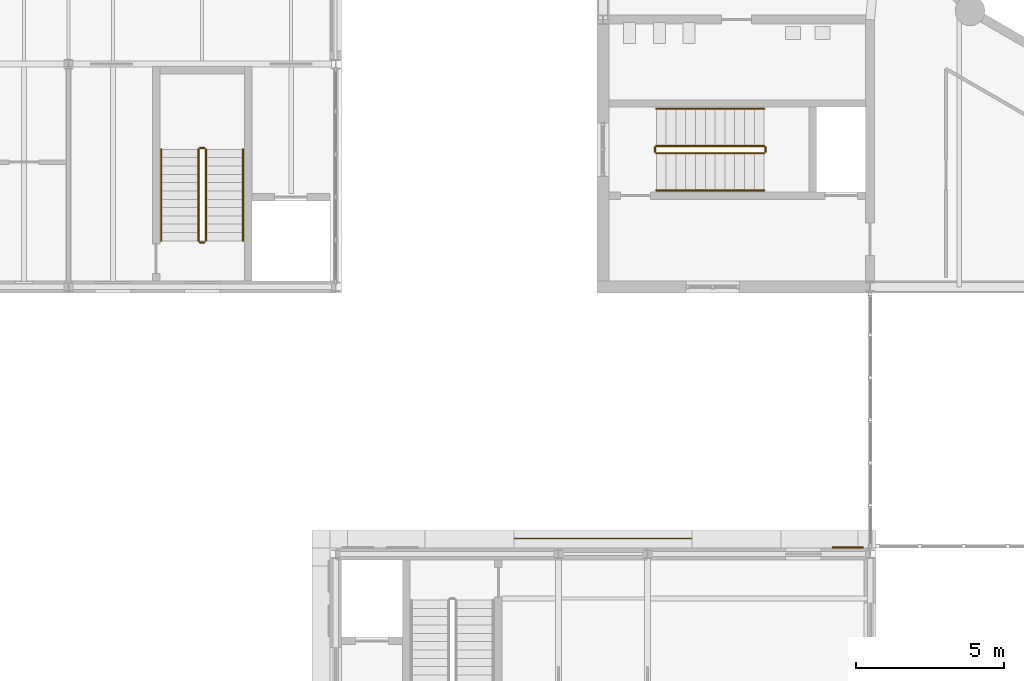
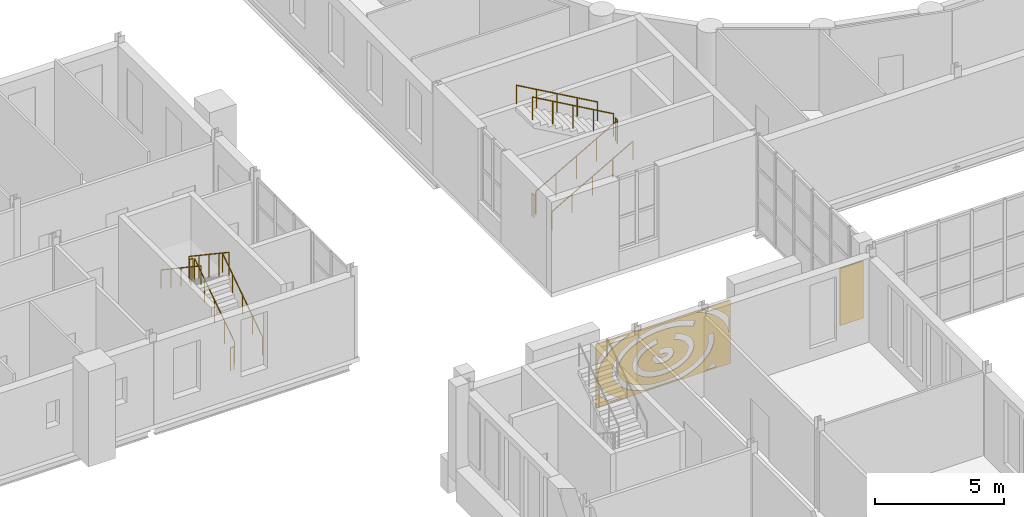
# One storey, part 121 of 134: 12 railings, 2 coverings.
"""IFC4 building model written with IfcOpenShell, lengths in metres."""

from ifc_helpers import new_model, si_unit, direction, frame, origin, origin_2d, place, context, subcontext, project, spatial, polyline, circle, outline, extrude, material, layer, layer_set, type_object, element, save


model = new_model("IFC4")

# Units and contexts
model_context = context("Model", 3, precision=1e-05, world=origin(), true_north=direction((0.0, 1.0)))
body_context = subcontext(model_context, "Body", "Model", "MODEL_VIEW")
ifc_project = project(units=[si_unit("LENGTHUNIT", "METRE"), si_unit("AREAUNIT", "SQUARE_METRE"), si_unit("VOLUMEUNIT", "CUBIC_METRE"), si_unit("PLANEANGLEUNIT", "RADIAN"), si_unit("MASSUNIT", "GRAM", prefix="KILO")], contexts=[model_context])

# Site, building, storey
site_placement = place(None, origin())
site = spatial("IfcSite", under=ifc_project, at=site_placement, CompositionType="ELEMENT")
building_placement = place(site_placement, origin())
building = spatial("IfcBuilding", under=site, at=building_placement, Name="Golden Quay Civic Hall", CompositionType="ELEMENT")
storey_placement = place(building_placement, frame((0.0, 0.0, 5.39990234375)))
storey = spatial("IfcBuildingStorey", under=building, at=storey_placement, Name="L01", CompositionType="ELEMENT", Elevation=5.39990234375)

# Covering
ifc_material_1 = material(Name="Aluminium, golden anodised, perforated", Category="aluminium")
ifc_layer_1 = layer(ifc_material_1, 0.0400390625)
ifc_layer_set_1 = layer_set([ifc_layer_1], Name="Perforated screen panel 6000 x 3000 x 40")
covering_type_1 = type_object("IfcCoveringType", Name="Perforated screen panel 6000 x 3000 x 40", PredefinedType="CLADDING", material=ifc_layer_set_1)
covering_1_placement = place(storey_placement, frame((63.0, 54.5, 2.10009765625), z_axis=(0.0, 1.0, 0.0), x_axis=(-1.0, 0.0, 0.0)))
element("IfcCovering", 1, at=covering_1_placement, inside=storey, type_object=covering_type_1, Name="Perforated screen panel 6000 x 3000 x 40 L01 8", PredefinedType="CLADDING", context=body_context, shape_type="SweptSolid", body=[
    extrude(outline(polyline([(-3.0, -1.5), (3.0, -1.5), (3.0, 1.5), (-3.0, 1.5), (-3.0, -1.5)]), holes=[polyline([(0.0810546875, 0.0087890625), (0.03125, 0.015380859375), (-0.02001953125, 0.01611328125), (-0.070556640625, 0.0107421875), (-0.1171875, 0.0), (-0.157470703125, -0.014892578125), (-0.201904296875, -0.04150390625), (-0.223876953125, -0.065185546875), (-0.228515625, -0.07470703125), (-0.228271484375, -0.085205078125), (-0.211181640625, -0.10986328125), (-0.17431640625, -0.13671875), (-0.1376953125, -0.1533203125), (-0.093994140625, -0.166259765625), (-0.044921875, -0.17431640625), (0.006103515625, -0.176513671875), (0.05712890625, -0.1728515625), (0.10498046875, -0.16357421875), (0.1474609375, -0.1494140625), (0.1953125, -0.123291015625), (0.215087890625, -0.10595703125), (0.227783203125, -0.087158203125), (0.227783203125, -0.072998046875), (0.2177734375, -0.055908203125), (0.421630859375, 0.072509765625), (0.449951171875, 0.020263671875), (0.4619140625, -0.015380859375), (0.46875, -0.052978515625), (0.469970703125, -0.09130859375), (0.46533203125, -0.12939453125), (0.455322265625, -0.16650390625), (0.440185546875, -0.20166015625), (0.412109375, -0.24560546875), (0.370849609375, -0.29052734375), (0.3330078125, -0.321044921875), (0.277587890625, -0.3544921875), (0.206787109375, -0.38427734375), (0.162109375, -0.397705078125), (0.085205078125, -0.412109375), (0.006103515625, -0.41748046875), (-0.0732421875, -0.41357421875), (-0.151123046875, -0.400146484375), (-0.2177734375, -0.380615234375), (-0.28662109375, -0.349853515625), (-0.326904296875, -0.3251953125), (-0.3759765625, -0.285888671875), (-0.40966796875, -0.248779296875), (-0.441650390625, -0.198486328125), (-0.461181640625, -0.147705078125), (-0.47021484375, -0.089599609375), (-0.466064453125, -0.033447265625), (-0.448974609375, 0.02294921875), (-0.431640625, 0.056884765625), (-0.41015625, 0.088134765625), (-0.37646484375, 0.125244140625), (-0.319091796875, 0.17041015625), (-0.253662109375, 0.2060546875), (-0.18212890625, 0.232177734375), (-0.144775390625, 0.24169921875), (-0.07421875, 0.25341796875), (0.01220703125, 0.25732421875), (0.084228515625, 0.252197265625), (0.123046875, 0.24609375), (0.1982421875, 0.227294921875), (0.13037109375, -0.00390625), (0.0810546875, 0.0087890625)]), polyline([(-0.6474609375, 0.453369140625), (-0.7177734375, 0.421875), (-0.783447265625, 0.387451171875), (-0.84423828125, 0.350341796875), (-0.8994140625, 0.31103515625), (-0.948974609375, 0.27001953125), (-0.992431640625, 0.227294921875), (-1.02978515625, 0.18359375), (-1.061279296875, 0.139404296875), (-1.08642578125, 0.0947265625), (-1.105712890625, 0.050048828125), (-1.119140625, 0.005615234375), (-1.126953125, -0.03857421875), (-1.12939453125, -0.082763671875), (-1.126220703125, -0.126953125), (-1.117919921875, -0.171142578125), (-1.103515625, -0.215576171875), (-1.083740234375, -0.26025390625), (-1.0576171875, -0.3046875), (-1.025634765625, -0.34912109375), (-0.9873046875, -0.392578125), (-0.943115234375, -0.43505859375), (-0.892822265625, -0.47607421875), (-0.8369140625, -0.51513671875), (-0.775634765625, -0.5517578125), (-0.709228515625, -0.5859375), (-0.638427734375, -0.6171875), (-0.5634765625, -0.64501953125), (-0.48486328125, -0.66943359375), (-0.403076171875, -0.690185546875), (-0.318603515625, -0.707275390625), (-0.232177734375, -0.72021484375), (-0.144287109375, -0.72900390625), (-0.055419921875, -0.733642578125), (0.03369140625, -0.734130859375), (0.122802734375, -0.73046875), (0.2109375, -0.72265625), (0.2978515625, -0.710693359375), (0.3828125, -0.694580078125), (0.46533203125, -0.6748046875), (0.544677734375, -0.6513671875), (0.62060546875, -0.624267578125), (0.692626953125, -0.59375), (0.760009765625, -0.560302734375), (0.822509765625, -0.524169921875), (0.8798828125, -0.485595703125), (0.931396484375, -0.4453125), (0.977294921875, -0.403076171875), (1.016845703125, -0.359619140625), (1.050537109375, -0.315673828125), (1.077880859375, -0.27099609375), (1.099365234375, -0.226318359375), (1.114990234375, -0.181884765625), (1.124755859375, -0.1376953125), (1.129150390625, -0.093505859375), (1.1279296875, -0.04931640625), (1.12158203125, -0.005126953125), (1.109619140625, 0.039306640625), (1.091796875, 0.083984375), (1.06787109375, 0.12841796875), (1.0380859375, 0.1728515625), (1.002197265625, 0.216796875), (0.9599609375, 0.259765625), (0.911865234375, 0.30126953125), (0.858154296875, 0.341064453125), (0.798583984375, 0.378662109375), (0.734130859375, 0.413818359375), (0.6650390625, 0.446044921875), (0.59130859375, 0.47509765625), (0.513916015625, 0.5009765625), (0.433349609375, 0.523193359375), (0.349853515625, 0.54150390625), (0.26123046875, 0.556396484375), (0.30126953125, 0.7939453125), (0.392822265625, 0.778564453125), (0.488037109375, 0.7578125), (0.587158203125, 0.73046875), (0.670654296875, 0.70263671875), (0.757080078125, 0.668701171875), (0.83935546875, 0.630615234375), (0.92431640625, 0.584228515625), (0.997802734375, 0.537353515625), (1.05859375, 0.4921875), (1.121337890625, 0.438720703125), (1.177734375, 0.381591796875), (1.23486328125, 0.31201171875), (1.277587890625, 0.2470703125), (1.307373046875, 0.19140625), (1.335693359375, 0.122314453125), (1.35595703125, 0.051025390625), (1.36865234375, -0.0361328125), (1.369384765625, -0.109619140625), (1.361328125, -0.182861328125), (1.344482421875, -0.254638671875), (1.32470703125, -0.31201171875), (1.286376953125, -0.39208984375), (1.245849609375, -0.456787109375), (1.205322265625, -0.510009765625), (1.14404296875, -0.576904296875), (1.083984375, -0.6318359375), (1.025146484375, -0.677978515625), (0.946533203125, -0.730712890625), (0.870361328125, -0.7744140625), (0.79638671875, -0.811279296875), (0.704833984375, -0.849853515625), (0.616455078125, -0.88134765625), (0.524658203125, -0.908203125), (0.430419921875, -0.930908203125), (0.339599609375, -0.947998046875), (0.2353515625, -0.96240234375), (0.135498046875, -0.97119140625), (0.035400390625, -0.97509765625), (-0.0595703125, -0.974609375), (-0.159912109375, -0.969482421875), (-0.264892578125, -0.958740234375), (-0.357421875, -0.945068359375), (-0.453369140625, -0.92578125), (-0.55322265625, -0.900390625), (-0.63818359375, -0.8740234375), (-0.725830078125, -0.841796875), (-0.809814453125, -0.804931640625), (-0.889404296875, -0.764404296875), (-0.96435546875, -0.719482421875), (-1.034423828125, -0.6708984375), (-1.09912109375, -0.618896484375), (-1.15771484375, -0.56298828125), (-1.21728515625, -0.4951171875), (-1.2626953125, -0.431396484375), (-1.30078125, -0.364501953125), (-1.326416015625, -0.307861328125), (-1.349609375, -0.2373046875), (-1.3662109375, -0.150634765625), (-1.3701171875, -0.091796875), (-1.3671875, -0.018310546875), (-1.351806640625, 0.068603515625), (-1.32958984375, 0.13916015625), (-1.29931640625, 0.20751953125), (-1.261474609375, 0.2734375), (-1.223388671875, 0.327392578125), (-1.171875, 0.38818359375), (-1.114013671875, 0.445556640625), (-1.042724609375, 0.504638671875), (-0.973388671875, 0.5537109375), (-0.89892578125, 0.598876953125), (-0.81982421875, 0.64013671875), (-0.736328125, 0.67724609375), (-0.649169921875, 0.710205078125), (-0.564697265625, 0.7373046875), (-0.49169921875, 0.507568359375), (-0.572998046875, 0.481689453125), (-0.6474609375, 0.453369140625)]), polyline([(-2.023193359375, 0.012939453125), (-2.029052734375, -0.059814453125), (-2.02734375, -0.13232421875), (-2.018310546875, -0.205078125), (-2.001708984375, -0.277587890625), (-1.977294921875, -0.349853515625), (-1.9453125, -0.421875), (-1.905517578125, -0.492919921875), (-1.85791015625, -0.563232421875), (-1.802734375, -0.632080078125), (-1.739990234375, -0.69921875), (-1.669921875, -0.764404296875), (-1.592529296875, -0.8271484375), (-1.50830078125, -0.886962890625), (-1.417724609375, -0.94384765625), (-1.32080078125, -0.997314453125), (-1.218017578125, -1.046875), (-1.110107421875, -1.092529296875), (-0.997314453125, -1.1337890625), (-0.88037109375, -1.1708984375), (-0.759521484375, -1.203125), (-0.635009765625, -1.230712890625), (-0.508056640625, -1.25341796875), (-0.37890625, -1.27099609375), (-0.248046875, -1.283203125), (-0.115966796875, -1.29052734375), (0.0166015625, -1.29248046875), (0.14892578125, -1.289306640625), (0.280517578125, -1.28076171875), (0.4111328125, -1.26708984375), (0.539794921875, -1.248291015625), (0.666259765625, -1.224365234375), (0.789794921875, -1.195556640625), (0.909912109375, -1.162109375), (1.02587890625, -1.1240234375), (1.137451171875, -1.08154296875), (1.244140625, -1.034912109375), (1.345458984375, -0.984130859375), (1.44091796875, -0.929931640625), (1.52978515625, -0.872314453125), (1.6123046875, -0.811767578125), (1.68798828125, -0.748291015625), (1.75634765625, -0.6826171875), (1.817138671875, -0.614990234375), (1.87060546875, -0.5458984375), (1.916015625, -0.475341796875), (1.953857421875, -0.404052734375), (1.98388671875, -0.33203125), (2.00634765625, -0.259521484375), (2.021240234375, -0.18701171875), (2.028564453125, -0.1142578125), (2.0283203125, -0.04150390625), (2.0205078125, 0.031005859375), (2.00537109375, 0.103759765625), (1.982421875, 0.176025390625), (1.951904296875, 0.248046875), (1.913818359375, 0.3193359375), (1.86767578125, 0.389892578125), (1.81396484375, 0.458984375), (1.752685546875, 0.5263671875), (1.683837890625, 0.592041015625), (1.60791015625, 0.6552734375), (1.525146484375, 0.7158203125), (1.435546875, 0.773193359375), (1.33984375, 0.8271484375), (1.23828125, 0.87744140625), (1.13134765625, 0.924072265625), (1.01953125, 0.96630859375), (0.9033203125, 1.004150390625), (0.782958984375, 1.037353515625), (0.6591796875, 1.06591796875), (0.53271484375, 1.08935546875), (0.40380859375, 1.10791015625), (0.273193359375, 1.121337890625), (0.1416015625, 1.12939453125), (0.009033203125, 1.132568359375), (-0.123291015625, 1.130126953125), (-0.25537109375, 1.122802734375), (-0.385986328125, 1.110107421875), (-0.515380859375, 1.09228515625), (-0.64208984375, 1.0693359375), (-0.76611328125, 1.04150390625), (-0.886962890625, 1.0087890625), (-1.00390625, 0.9716796875), (-1.116455078125, 0.929931640625), (-1.22412109375, 0.884033203125), (-1.3291015625, 0.8330078125), (-1.434814453125, 1.04931640625), (-1.3212890625, 1.1044921875), (-1.208251953125, 1.15283203125), (-1.07958984375, 1.200439453125), (-0.952392578125, 1.24072265625), (-0.821533203125, 1.27587890625), (-0.6923828125, 1.304931640625), (-0.55078125, 1.33056640625), (-0.411865234375, 1.349609375), (-0.276123046875, 1.36279296875), (-0.1298828125, 1.37109375), (0.00732421875, 1.373291015625), (0.1494140625, 1.370361328125), (0.290771484375, 1.361572265625), (0.430908203125, 1.347412109375), (0.574462890625, 1.32666015625), (0.705810546875, 1.30224609375), (0.839599609375, 1.271484375), (0.97509765625, 1.23388671875), (1.0966796875, 1.194580078125), (1.21923828125, 1.148193359375), (1.3427734375, 1.0947265625), (1.449951171875, 1.04150390625), (1.556884765625, 0.981201171875), (1.664306640625, 0.912353515625), (1.753173828125, 0.847412109375), (1.841064453125, 0.774658203125), (1.927978515625, 0.691650390625), (1.99560546875, 0.617431640625), (2.06103515625, 0.53369140625), (2.12353515625, 0.437744140625), (2.1669921875, 0.357177734375), (2.20654296875, 0.264892578125), (2.239990234375, 0.158935546875), (2.257568359375, 0.07470703125), (2.2685546875, -0.0224609375), (2.26953125, -0.119873046875), (2.258544921875, -0.229248046875), (2.23828125, -0.3251953125), (2.20849609375, -0.419677734375), (2.169189453125, -0.511962890625), (2.12109375, -0.601806640625), (2.064453125, -0.68896484375), (1.999267578125, -0.772705078125), (1.926513671875, -0.853515625), (1.845947265625, -0.930419921875), (1.75830078125, -1.003662109375), (1.669677734375, -1.068603515625), (1.568603515625, -1.134033203125), (1.461669921875, -1.1953125), (1.34912109375, -1.251708984375), (1.2314453125, -1.303466796875), (1.10888671875, -1.35009765625), (0.982421875, -1.391845703125), (0.802490234375, -1.43994140625), (-0.80419921875, -1.43994140625), (-0.9501953125, -1.4013671875), (-1.072509765625, -1.36279296875), (-1.196044921875, -1.317626953125), (-1.3203125, -1.264892578125), (-1.4287109375, -1.212646484375), (-1.536865234375, -1.153076171875), (-1.645263671875, -1.085205078125), (-1.7353515625, -1.02099609375), (-1.82470703125, -0.948974609375), (-1.9130859375, -0.86669921875), (-1.98779296875, -0.786376953125), (-2.049072265625, -0.7099609375), (-2.10791015625, -0.623779296875), (-2.1630859375, -0.52490234375), (-2.19970703125, -0.44287109375), (-2.231689453125, -0.348876953125), (-2.25439453125, -0.253173828125), (-2.26806640625, -0.14404296875), (-2.269775390625, -0.046630859375), (-2.26123046875, 0.050537109375), (-2.242919921875, 0.146728515625), (-2.21875, 0.230712890625), (-1.9873046875, 0.163818359375), (-2.010009765625, 0.085693359375), (-2.023193359375, 0.012939453125)]), polyline([(-2.008056640625, -1.365478515625), (-1.868408203125, -1.43994140625), (-2.34033203125, -1.43994140625), (-2.369140625, -1.42041015625), (-2.234619140625, -1.220703125), (-2.123291015625, -1.2958984375), (-2.008056640625, -1.365478515625)]), polyline([(1.86865234375, -1.43994140625), (2.0029296875, -1.368408203125), (2.118408203125, -1.298828125), (2.227294921875, -1.225830078125), (2.3291015625, -1.1494140625), (2.423583984375, -1.06982421875), (2.510498046875, -0.98779296875), (2.589599609375, -0.9033203125), (2.660400390625, -0.816650390625), (2.723388671875, -0.728271484375), (2.77783203125, -0.63818359375), (2.823974609375, -0.54736328125), (2.86181640625, -0.455322265625), (2.89111328125, -0.36279296875), (2.912353515625, -0.269775390625), (2.925048828125, -0.176513671875), (2.929443359375, -0.0830078125), (2.925537109375, 0.010498046875), (2.913330078125, 0.10400390625), (2.892822265625, 0.197021484375), (2.864013671875, 0.28955078125), (2.82666015625, 0.381591796875), (2.781005859375, 0.47265625), (2.726806640625, 0.5625), (2.66455078125, 0.651123046875), (2.593994140625, 0.73779296875), (2.515625, 0.822509765625), (2.42919921875, 0.90478515625), (2.335205078125, 0.984619140625), (2.23388671875, 1.06103515625), (2.12548828125, 1.134521484375), (2.01025390625, 1.2041015625), (1.888671875, 1.27001953125), (1.760986328125, 1.331787109375), (1.6279296875, 1.389404296875), (1.495849609375, 1.43994140625), (2.080810546875, 1.43994140625), (2.252685546875, 1.339111328125), (2.371337890625, 1.2587890625), (2.483154296875, 1.1748046875), (2.587646484375, 1.08642578125), (2.6845703125, 0.994384765625), (2.778564453125, 0.892822265625), (2.859130859375, 0.793212890625), (2.93994140625, 0.67578125), (2.93994140625, -0.83544921875), (2.849365234375, -0.966064453125), (2.76806640625, -1.064697265625), (2.683837890625, -1.155029296875), (2.586669921875, -1.247314453125), (2.481689453125, -1.3359375), (2.34033203125, -1.43994140625), (1.86865234375, -1.43994140625)]), polyline([(-1.616943359375, 1.393798828125), (-1.75048828125, 1.336669921875), (-1.878662109375, 1.275146484375), (-2.00048828125, 1.209716796875), (-2.1162109375, 1.14013671875), (-2.225341796875, 1.067138671875), (-2.327392578125, 0.99072265625), (-2.421875, 0.911376953125), (-2.5087890625, 0.829345703125), (-2.588134765625, 0.744873046875), (-2.6591796875, 0.658203125), (-2.72216796875, 0.56982421875), (-2.77685546875, 0.47998046875), (-2.8232421875, 0.388916015625), (-2.861083984375, 0.297119140625), (-2.890625, 0.20458984375), (-2.912109375, 0.111328125), (-2.9248046875, 0.01806640625), (-2.929443359375, -0.075439453125), (-2.925537109375, -0.17431640625), (-2.93994140625, -0.1748046875), (-2.93994140625, 0.67529296875), (-2.85302734375, 0.801513671875), (-2.771728515625, 0.90087890625), (-2.677001953125, 1.001953125), (-2.579345703125, 1.09375), (-2.474365234375, 1.181640625), (-2.362060546875, 1.265380859375), (-2.247802734375, 1.342041015625), (-2.080810546875, 1.43994140625), (-1.4951171875, 1.43994140625), (-1.616943359375, 1.393798828125)])]), origin(), (0.0, 0.0, 1.0), 0.0400390625),
])

# Railings
ifc_material_2 = material(Name="Steel S355", Category="steel")
railing_type_1 = type_object("IfcRailingType", Name="Steel guard 1100", PredefinedType="GUARDRAIL", material=ifc_material_2)
railing_1_placement = place(storey_placement, frame((64.800048828125, 67.5, 0.1875)))
element("IfcRailing", 2, at=railing_1_placement, inside=storey, type_object=railing_type_1, Name="L01 CB-SW stair guard 1", PredefinedType="GUARDRAIL", context=body_context, shape_type="SweptSolid", body=[
    extrude(circle(Radius=0.02392578125, at=origin_2d()), frame((0.0, 0.0, 1.076171875), z_axis=(0.869449707104, 0.0, 0.494021463923), x_axis=(0.0, 1.0, 0.0)), (0.0, 0.0, 1.0), 4.1748046875),
    extrude(circle(Radius=0.02099609375, at=origin_2d()), origin(), (0.0, 0.0, 1.0), 1.052001953125),
    extrude(circle(Radius=0.02099609375, at=origin_2d()), frame((0.907470703125, 0.0, 0.515625)), (0.0, 0.0, 1.0), 1.052001953125),
    extrude(circle(Radius=0.02099609375, at=origin_2d()), frame((1.81494140625, 0.0, 1.03125)), (0.0, 0.0, 1.0), 1.052001953125),
    extrude(circle(Radius=0.02099609375, at=origin_2d()), frame((2.722412109375, 0.0, 1.546875)), (0.0, 0.0, 1.0), 1.052001953125),
    extrude(circle(Radius=0.02099609375, at=origin_2d()), frame((3.6298828125, 0.0, 2.0625)), (0.0, 0.0, 1.0), 1.052001953125),
])
railing_2_placement = place(storey_placement, frame((68.47998046875, 67.550048828125, 2.25)))
element("IfcRailing", 3, at=railing_2_placement, inside=storey, type_object=railing_type_1, Name="L01 CB-SW stair guard 2", PredefinedType="GUARDRAIL", context=body_context, shape_type="SweptSolid", body=[
    extrude(circle(Radius=0.02392578125, at=origin_2d()), frame((0.0, 0.0, 1.076171875), z_axis=(0.0, 1.0, 0.0), x_axis=(-1.0, 0.0, 0.0)), (0.0, 0.0, 1.0), 0.14990234375),
    extrude(circle(Radius=0.02099609375, at=origin_2d()), origin(), (0.0, 0.0, 1.0), 1.052001953125),
    extrude(circle(Radius=0.02099609375, at=origin_2d()), frame((0.0, 0.14990234375, 0.0)), (0.0, 0.0, 1.0), 1.052001953125),
])
railing_3_placement = place(storey_placement, frame((68.429931640625, 67.75, 2.4375)))
element("IfcRailing", 4, at=railing_3_placement, inside=storey, type_object=railing_type_1, Name="L01 CB-SW stair guard 3", PredefinedType="GUARDRAIL", context=body_context, shape_type="SweptSolid", body=[
    extrude(circle(Radius=0.02392578125, at=origin_2d()), frame((0.0, 0.0, 1.076171875), z_axis=(-0.869449707104, 0.0, 0.494021463923), x_axis=(0.0, -1.0, 0.0)), (0.0, 0.0, 1.0), 4.1748046875),
    extrude(circle(Radius=0.02099609375, at=origin_2d()), origin(), (0.0, 0.0, 1.0), 1.052001953125),
    extrude(circle(Radius=0.02099609375, at=origin_2d()), frame((-0.907470703125, 0.0, 0.515625)), (0.0, 0.0, 1.0), 1.052001953125),
    extrude(circle(Radius=0.02099609375, at=origin_2d()), frame((-1.81494140625, 0.0, 1.03125)), (0.0, 0.0, 1.0), 1.052001953125),
    extrude(circle(Radius=0.02099609375, at=origin_2d()), frame((-2.722412109375, 0.0, 1.546875)), (0.0, 0.0, 1.0), 1.052001953125),
    extrude(circle(Radius=0.02099609375, at=origin_2d()), frame((-3.6298828125, 0.0, 2.0625)), (0.0, 0.0, 1.0), 1.052001953125),
])
railing_4_placement = place(storey_placement, frame((64.75, 67.550048828125, 0.0)))
element("IfcRailing", 5, at=railing_4_placement, inside=storey, type_object=railing_type_1, Name="L01 CB-SW stair guard 4", PredefinedType="GUARDRAIL", context=body_context, shape_type="SweptSolid", body=[
    extrude(circle(Radius=0.02392578125, at=origin_2d()), frame((0.0, 0.0, 1.076171875), z_axis=(0.0, 1.0, 0.0), x_axis=(-1.0, 0.0, 0.0)), (0.0, 0.0, 1.0), 0.14990234375),
    extrude(circle(Radius=0.02099609375, at=origin_2d()), origin(), (0.0, 0.0, 1.0), 1.052001953125),
    extrude(circle(Radius=0.02099609375, at=origin_2d()), frame((0.0, 0.14990234375, 0.0)), (0.0, 0.0, 1.0), 1.052001953125),
])
railing_5_placement = place(storey_placement, frame((49.625, 64.550048828125, 0.1875)))
element("IfcRailing", 6, at=railing_5_placement, inside=storey, type_object=railing_type_1, Name="L01 NW-E stair guard 1", PredefinedType="GUARDRAIL", context=body_context, shape_type="SweptSolid", body=[
    extrude(circle(Radius=0.02392578125, at=origin_2d()), frame((0.0, 0.0, 1.076171875), z_axis=(0.0, 0.830893310487, 0.556431762742), x_axis=(-1.0, 0.0, 0.0)), (0.0, 0.0, 1.0), 3.70654296875),
    extrude(circle(Radius=0.02099609375, at=origin_2d()), origin(), (0.0, 0.0, 1.0), 1.052001953125),
    extrude(circle(Radius=0.02099609375, at=origin_2d()), frame((0.0, 0.77001953125, 0.515625)), (0.0, 0.0, 1.0), 1.052001953125),
    extrude(circle(Radius=0.02099609375, at=origin_2d()), frame((0.0, 1.5400390625, 1.03125)), (0.0, 0.0, 1.0), 1.052001953125),
    extrude(circle(Radius=0.02099609375, at=origin_2d()), frame((0.0, 2.309814453125, 1.546875)), (0.0, 0.0, 1.0), 1.052001953125),
    extrude(circle(Radius=0.02099609375, at=origin_2d()), frame((0.0, 3.079833984375, 2.0625)), (0.0, 0.0, 1.0), 1.052001953125),
])
railing_6_placement = place(storey_placement, frame((49.574951171875, 67.679931640625, 2.25)))
element("IfcRailing", 7, at=railing_6_placement, inside=storey, type_object=railing_type_1, Name="L01 NW-E stair guard 2", PredefinedType="GUARDRAIL", context=body_context, shape_type="SweptSolid", body=[
    extrude(circle(Radius=0.02392578125, at=origin_2d()), frame((0.0, 0.0, 1.076171875), z_axis=(-1.0, 0.0, 0.0), x_axis=(0.0, -1.0, 0.0)), (0.0, 0.0, 1.0), 0.14990234375),
    extrude(circle(Radius=0.02099609375, at=origin_2d()), origin(), (0.0, 0.0, 1.0), 1.052001953125),
    extrude(circle(Radius=0.02099609375, at=origin_2d()), frame((-0.14990234375, 0.0, 0.0)), (0.0, 0.0, 1.0), 1.052001953125),
])
railing_7_placement = place(storey_placement, frame((49.375, 67.6298828125, 2.4375)))
element("IfcRailing", 8, at=railing_7_placement, inside=storey, type_object=railing_type_1, Name="L01 NW-E stair guard 3", PredefinedType="GUARDRAIL", context=body_context, shape_type="SweptSolid", body=[
    extrude(circle(Radius=0.02392578125, at=origin_2d()), frame((0.0, 0.0, 1.076171875), z_axis=(0.0, -0.830893310487, 0.556431762742), x_axis=(1.0, 0.0, 0.0)), (0.0, 0.0, 1.0), 3.70654296875),
    extrude(circle(Radius=0.02099609375, at=origin_2d()), origin(), (0.0, 0.0, 1.0), 1.052001953125),
    extrude(circle(Radius=0.02099609375, at=origin_2d()), frame((0.0, -0.77001953125, 0.515625)), (0.0, 0.0, 1.0), 1.052001953125),
    extrude(circle(Radius=0.02099609375, at=origin_2d()), frame((0.0, -1.5400390625, 1.03125)), (0.0, 0.0, 1.0), 1.052001953125),
    extrude(circle(Radius=0.02099609375, at=origin_2d()), frame((0.0, -2.309814453125, 1.546875)), (0.0, 0.0, 1.0), 1.052001953125),
    extrude(circle(Radius=0.02099609375, at=origin_2d()), frame((0.0, -3.079833984375, 2.0625)), (0.0, 0.0, 1.0), 1.052001953125),
])
railing_8_placement = place(storey_placement, frame((49.574951171875, 64.5, 0.0)))
element("IfcRailing", 9, at=railing_8_placement, inside=storey, type_object=railing_type_1, Name="L01 NW-E stair guard 4", PredefinedType="GUARDRAIL", context=body_context, shape_type="SweptSolid", body=[
    extrude(circle(Radius=0.02392578125, at=origin_2d()), frame((0.0, 0.0, 1.076171875), z_axis=(-1.0, 0.0, 0.0), x_axis=(0.0, -1.0, 0.0)), (0.0, 0.0, 1.0), 0.14990234375),
    extrude(circle(Radius=0.02099609375, at=origin_2d()), origin(), (0.0, 0.0, 1.0), 1.052001953125),
    extrude(circle(Radius=0.02099609375, at=origin_2d()), frame((-0.14990234375, 0.0, 0.0)), (0.0, 0.0, 1.0), 1.052001953125),
])
ifc_material_3 = material(Name="Steel S355", Category="steel")
railing_type_2 = type_object("IfcRailingType", Name="Steel handrail 900", PredefinedType="HANDRAIL", material=ifc_material_3)
railing_9_placement = place(storey_placement, frame((64.800048828125, 66.25, 0.1875)))
element("IfcRailing", 10, at=railing_9_placement, inside=storey, type_object=railing_type_2, Name="L01 CB-SW stair handrail 1", PredefinedType="HANDRAIL", context=body_context, shape_type="SweptSolid", body=[
    extrude(circle(Radius=0.02392578125, at=origin_2d()), frame((0.0, 0.0, 0.8759765625), z_axis=(0.869449707104, 0.0, 0.494021463923), x_axis=(0.0, 1.0, 0.0)), (0.0, 0.0, 1.0), 4.1748046875),
    extrude(circle(Radius=0.02099609375, at=origin_2d()), origin(), (0.0, 0.0, 1.0), 0.851806640625),
    extrude(circle(Radius=0.02099609375, at=origin_2d()), frame((0.907470703125, 0.0, 0.515625)), (0.0, 0.0, 1.0), 0.851806640625),
    extrude(circle(Radius=0.02099609375, at=origin_2d()), frame((1.81494140625, 0.0, 1.03125)), (0.0, 0.0, 1.0), 0.851806640625),
    extrude(circle(Radius=0.02099609375, at=origin_2d()), frame((2.722412109375, 0.0, 1.546875)), (0.0, 0.0, 1.0), 0.851806640625),
    extrude(circle(Radius=0.02099609375, at=origin_2d()), frame((3.6298828125, 0.0, 2.0625)), (0.0, 0.0, 1.0), 0.851806640625),
])
railing_10_placement = place(storey_placement, frame((68.429931640625, 69.0, 2.4375)))
element("IfcRailing", 11, at=railing_10_placement, inside=storey, type_object=railing_type_2, Name="L01 CB-SW stair handrail 2", PredefinedType="HANDRAIL", context=body_context, shape_type="SweptSolid", body=[
    extrude(circle(Radius=0.02392578125, at=origin_2d()), frame((0.0, 0.0, 0.8759765625), z_axis=(-0.869449707104, 0.0, 0.494021463923), x_axis=(0.0, -1.0, 0.0)), (0.0, 0.0, 1.0), 4.1748046875),
    extrude(circle(Radius=0.02099609375, at=origin_2d()), origin(), (0.0, 0.0, 1.0), 0.851806640625),
    extrude(circle(Radius=0.02099609375, at=origin_2d()), frame((-0.907470703125, 0.0, 0.515625)), (0.0, 0.0, 1.0), 0.851806640625),
    extrude(circle(Radius=0.02099609375, at=origin_2d()), frame((-1.81494140625, 0.0, 1.03125)), (0.0, 0.0, 1.0), 0.851806640625),
    extrude(circle(Radius=0.02099609375, at=origin_2d()), frame((-2.722412109375, 0.0, 1.546875)), (0.0, 0.0, 1.0), 0.851806640625),
    extrude(circle(Radius=0.02099609375, at=origin_2d()), frame((-3.6298828125, 0.0, 2.0625)), (0.0, 0.0, 1.0), 0.851806640625),
])
railing_11_placement = place(storey_placement, frame((50.875, 64.550048828125, 0.1875)))
element("IfcRailing", 12, at=railing_11_placement, inside=storey, type_object=railing_type_2, Name="L01 NW-E stair handrail 1", PredefinedType="HANDRAIL", context=body_context, shape_type="SweptSolid", body=[
    extrude(circle(Radius=0.02392578125, at=origin_2d()), frame((0.0, 0.0, 0.8759765625), z_axis=(0.0, 0.830893310487, 0.556431762742), x_axis=(-1.0, 0.0, 0.0)), (0.0, 0.0, 1.0), 3.70654296875),
    extrude(circle(Radius=0.02099609375, at=origin_2d()), origin(), (0.0, 0.0, 1.0), 0.851806640625),
    extrude(circle(Radius=0.02099609375, at=origin_2d()), frame((0.0, 0.77001953125, 0.515625)), (0.0, 0.0, 1.0), 0.851806640625),
    extrude(circle(Radius=0.02099609375, at=origin_2d()), frame((0.0, 1.5400390625, 1.03125)), (0.0, 0.0, 1.0), 0.851806640625),
    extrude(circle(Radius=0.02099609375, at=origin_2d()), frame((0.0, 2.309814453125, 1.546875)), (0.0, 0.0, 1.0), 0.851806640625),
    extrude(circle(Radius=0.02099609375, at=origin_2d()), frame((0.0, 3.079833984375, 2.0625)), (0.0, 0.0, 1.0), 0.851806640625),
])
railing_12_placement = place(storey_placement, frame((48.125, 67.6298828125, 2.4375)))
element("IfcRailing", 13, at=railing_12_placement, inside=storey, type_object=railing_type_2, Name="L01 NW-E stair handrail 2", PredefinedType="HANDRAIL", context=body_context, shape_type="SweptSolid", body=[
    extrude(circle(Radius=0.02392578125, at=origin_2d()), frame((0.0, 0.0, 0.8759765625), z_axis=(0.0, -0.830893310487, 0.556431762742), x_axis=(1.0, 0.0, 0.0)), (0.0, 0.0, 1.0), 3.70654296875),
    extrude(circle(Radius=0.02099609375, at=origin_2d()), origin(), (0.0, 0.0, 1.0), 0.851806640625),
    extrude(circle(Radius=0.02099609375, at=origin_2d()), frame((0.0, -0.77001953125, 0.515625)), (0.0, 0.0, 1.0), 0.851806640625),
    extrude(circle(Radius=0.02099609375, at=origin_2d()), frame((0.0, -1.5400390625, 1.03125)), (0.0, 0.0, 1.0), 0.851806640625),
    extrude(circle(Radius=0.02099609375, at=origin_2d()), frame((0.0, -2.309814453125, 1.546875)), (0.0, 0.0, 1.0), 0.851806640625),
    extrude(circle(Radius=0.02099609375, at=origin_2d()), frame((0.0, -3.079833984375, 2.0625)), (0.0, 0.0, 1.0), 0.851806640625),
])

# Covering
ifc_material_4 = material(Name="Terracotta cladding, golden glaze", Category="masonry")
ifc_layer_2 = layer(ifc_material_4, 0.050048828125)
ifc_layer_set_2 = layer_set([ifc_layer_2], Name="Terracotta solid panel 1050 x 2700 x 50")
covering_type_2 = type_object("IfcCoveringType", Name="Terracotta solid panel 1050 x 2700 x 50", PredefinedType="CLADDING", material=ifc_layer_set_2)
covering_2_placement = place(storey_placement, frame((0.0, 0.0, 0.900146484375)))
element("IfcCovering", 14, at=covering_2_placement, inside=storey, type_object=covering_type_2, Name="Terracotta solid panel 1050 x 2700 x 50 L01 22", PredefinedType="CLADDING", context=body_context, shape_type="SweptSolid", body=[
    extrude(outline(polyline([(70.72509765625, 54.199951171875), (71.77490234375, 54.199951171875), (71.77490234375, 54.25), (70.72509765625, 54.25), (70.72509765625, 54.199951171875)])), origin(), (0.0, 0.0, 1.0), 2.699951171875),
])

save(model, "model.ifc")
